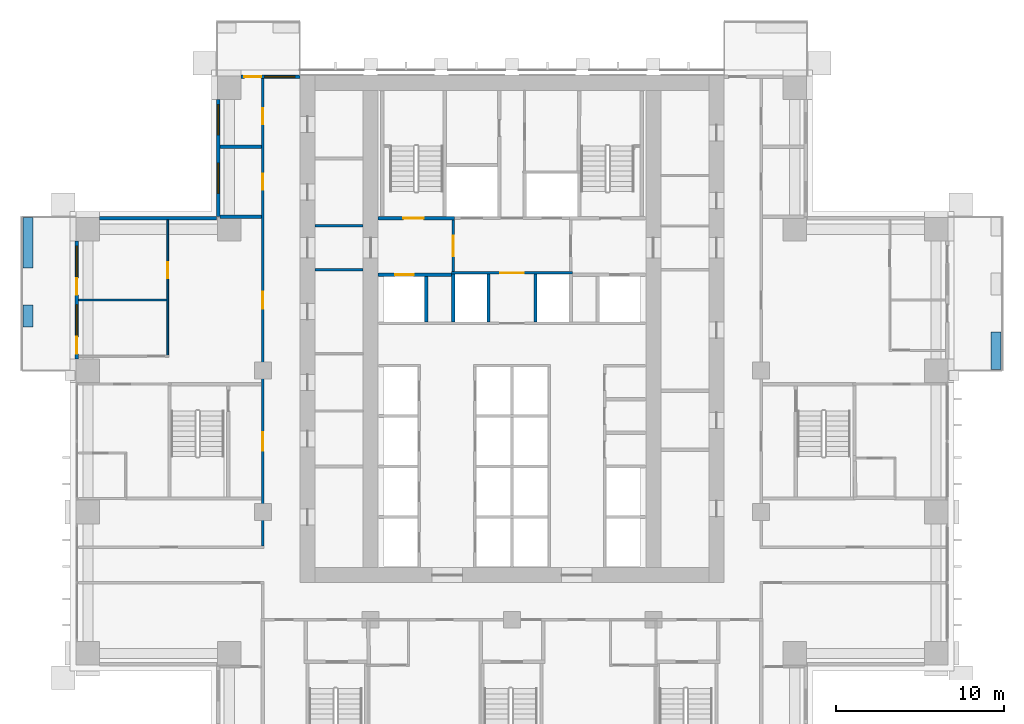
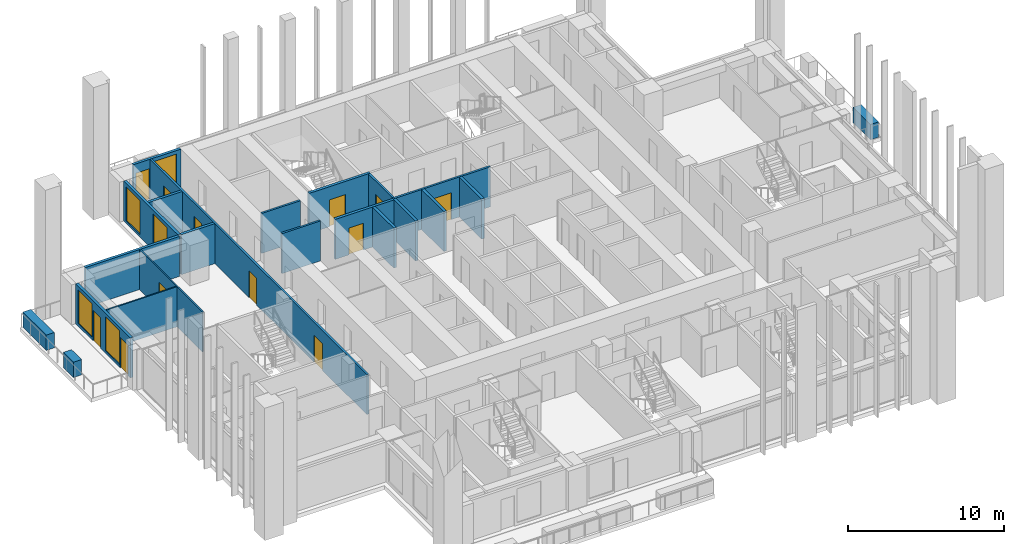
# One storey, part 10 of 17: 22 walls, 12 doors, 5 windows, 17 openings.
"""IFC4 building model written with IfcOpenShell, lengths in metres."""

from ifc_helpers import new_model, si_unit, direction, frame, frame_2d, origin, place, context, subcontext, project, spatial, rectangle, extrude, material, layer, layer_set, type_object, element, fill, save


model = new_model("IFC4")

# Units and contexts
model_context = context("Model", 3, precision=1e-05, world=origin(), true_north=direction((0.0, 1.0)))
body_context = subcontext(model_context, "Body", "Model", "MODEL_VIEW")
ifc_project = project(units=[si_unit("LENGTHUNIT", "METRE"), si_unit("AREAUNIT", "SQUARE_METRE"), si_unit("VOLUMEUNIT", "CUBIC_METRE"), si_unit("PLANEANGLEUNIT", "RADIAN"), si_unit("MASSUNIT", "GRAM", prefix="KILO")], contexts=[model_context])

# Site, building, storey
site_placement = place(None, origin())
site = spatial("IfcSite", under=ifc_project, at=site_placement, CompositionType="ELEMENT")
building_placement = place(site_placement, origin())
building = spatial("IfcBuilding", under=site, at=building_placement, Name="Vermilion Ogive Tower", CompositionType="ELEMENT")
storey_placement = place(building_placement, frame((0.0, 0.0, 37.949951171875)))
storey = spatial("IfcBuildingStorey", under=building, at=storey_placement, Name="L07", CompositionType="ELEMENT", Elevation=37.949951171875)

# Wall
ifc_material_1 = material(Name="Gypsum board partition on steel studs", Category="steel")
ifc_layer_1 = layer(ifc_material_1, 0.10009765625)
ifc_layer_set_1 = layer_set([ifc_layer_1], Name="Partition 100 inner")
wall_type_1 = type_object("IfcWallType", Name="Partition 100 inner", PredefinedType="PARTITIONING", material=ifc_layer_set_1)
wall_1_placement = place(storey_placement, frame((-25.75, 8.39990234375, 0.0), z_axis=(0.0, 0.0, 1.0), x_axis=(1.0, 0.0, 0.0)))
element("IfcWall", 1, at=wall_1_placement, inside=storey, type_object=wall_type_1, Name="L07-W-W035", PredefinedType="PARTITIONING", context=body_context, shape_type="SweptSolid", body=[
    extrude(rectangle(XDim=5.25, YDim=0.10009765625, at=frame_2d((2.625, 0.0))), origin(), (0.0, 0.0, 1.0), 3.130126953125),
])

# Wall, opening, door
wall_2_placement = place(storey_placement, frame((-20.449951171875, 5.099853515625, 0.0), z_axis=(0.0, 0.0, 1.0), x_axis=(0.0, 1.0, 0.0)))
wall_2 = element("IfcWall", 2, at=wall_2_placement, inside=storey, type_object=wall_type_1, Name="L07-W-W042", PredefinedType="PARTITIONING", context=body_context, shape_type="SweptSolid", body=[
    extrude(rectangle(XDim=8.050048828125, YDim=0.10009765625, at=frame_2d((4.02490234375, 0.0))), origin(), (0.0, 0.0, 1.0), 3.130126953125),
])
opening_1_placement = place(wall_2_placement, frame((4.60009765625, 0.0, 0.0)))
opening_1 = element("IfcOpeningElement", 3, at=opening_1_placement, cuts=wall_2, Name="Opening D1G2005", PredefinedType="OPENING", context=body_context, shape_type="SweptSolid", body=[
    extrude(rectangle(XDim=0.949951171875, YDim=2.10009765625, at=frame_2d((0.47509765625, 1.050048828125))), frame((0.0, 0.06005859375, 0.0), z_axis=(0.0, -1.0, 0.0), x_axis=(1.0, 0.0, 0.0)), (0.0, 0.0, 1.0), 0.1201171875),
])
ifc_material_2 = material(Name="Timber door leaf", Category="wood")
door_type_1 = type_object("IfcDoorType", Name="Inner door 950 x 2100 FD30", OperationType="SINGLE_SWING_LEFT", PredefinedType="DOOR", material=ifc_material_2)
door_1_placement = place(opening_1_placement, origin())
door_1 = element("IfcDoor", 4, at=door_1_placement, inside=storey, type_object=door_type_1, Name="L07-D-D005", OperationType="SINGLE_SWING_RIGHT", OverallHeight=2.10009765625, OverallWidth=0.949951171875, PredefinedType="DOOR", context=body_context, shape_type="SweptSolid", body=[
    extrude(rectangle(XDim=0.949951171875, YDim=2.10009765625, at=frame_2d((0.47509765625, 1.050048828125))), frame((0.0, 0.02490234375, 0.0), z_axis=(0.0, -1.0, 0.0), x_axis=(1.0, 0.0, 0.0)), (0.0, 0.0, 1.0), 0.050048828125),
])
fill(opening_1, door_1)

# Wall, openings, doors
ifc_material_3 = material(Name="Gypsum board partition on steel studs", Category="steel")
ifc_layer_2 = layer(ifc_material_3, 0.14990234375)
ifc_layer_set_2 = layer_set([ifc_layer_2], Name="Partition 150 corridor")
wall_type_2 = type_object("IfcWallType", Name="Partition 150 corridor", PredefinedType="PARTITIONING", material=ifc_layer_set_2)
wall_3_placement = place(storey_placement, frame((-14.800048828125, -6.22509765625, 0.0), z_axis=(0.0, 0.0, 1.0), x_axis=(0.0, 1.0, 0.0)))
wall_3 = element("IfcWall", 5, at=wall_3_placement, inside=storey, type_object=wall_type_2, Name="L07-W-W048", PredefinedType="PARTITIONING", context=body_context, shape_type="SweptSolid", body=[
    extrude(rectangle(XDim=27.775146484375, YDim=0.14990234375, at=frame_2d((13.8876953125, 0.0))), origin(), (0.0, 0.0, 1.0), 3.130126953125),
])
opening_2_placement = place(wall_3_placement, frame((14.10009765625, 0.0, 0.0)))
opening_2 = element("IfcOpeningElement", 6, at=opening_2_placement, cuts=wall_3, Name="Opening D1G2006", PredefinedType="OPENING", context=body_context, shape_type="SweptSolid", body=[
    extrude(rectangle(XDim=1.0, YDim=2.10009765625, at=frame_2d((0.5, 1.050048828125))), frame((0.0, 0.0849609375, 0.0), z_axis=(0.0, -1.0, 0.0), x_axis=(1.0, 0.0, 0.0)), (0.0, 0.0, 1.0), 0.169921875),
])
opening_3_placement = place(wall_3_placement, frame((21.175048828125, 0.0, 0.0)))
opening_3 = element("IfcOpeningElement", 7, at=opening_3_placement, cuts=wall_3, Name="Opening D1G2009", PredefinedType="OPENING", context=body_context, shape_type="SweptSolid", body=[
    extrude(rectangle(XDim=0.949951171875, YDim=2.10009765625, at=frame_2d((0.47509765625, 1.050048828125))), frame((0.0, 0.0849609375, 0.0), z_axis=(0.0, -1.0, 0.0), x_axis=(1.0, 0.0, 0.0)), (0.0, 0.0, 1.0), 0.169921875),
])
opening_4_placement = place(wall_3_placement, frame((25.0751953125, 0.0, 0.0)))
opening_4 = element("IfcOpeningElement", 8, at=opening_4_placement, cuts=wall_3, Name="Opening D1G2010", PredefinedType="OPENING", context=body_context, shape_type="SweptSolid", body=[
    extrude(rectangle(XDim=0.949951171875, YDim=2.10009765625, at=frame_2d((0.47509765625, 1.050048828125))), frame((0.0, 0.0849609375, 0.0), z_axis=(0.0, -1.0, 0.0), x_axis=(1.0, 0.0, 0.0)), (0.0, 0.0, 1.0), 0.169921875),
])
opening_5_placement = place(wall_3_placement, frame((5.675048828125, 0.0, 0.0)))
opening_5 = element("IfcOpeningElement", 9, at=opening_5_placement, cuts=wall_3, Name="Opening D1G2033", PredefinedType="OPENING", context=body_context, shape_type="SweptSolid", body=[
    extrude(rectangle(XDim=1.10009765625, YDim=2.10009765625, at=frame_2d((0.550048828125, 1.050048828125))), frame((0.0, 0.0849609375, 0.0), z_axis=(0.0, -1.0, 0.0), x_axis=(1.0, 0.0, 0.0)), (0.0, 0.0, 1.0), 0.169921875),
])
ifc_material_4 = material(Name="Timber door leaf", Category="wood")
door_type_2 = type_object("IfcDoorType", Name="Stair door 1100 x 2100 FD60S", OperationType="SINGLE_SWING_LEFT", PredefinedType="DOOR", material=ifc_material_4)
door_2_placement = place(opening_5_placement, origin())
door_2 = element("IfcDoor", 10, at=door_2_placement, inside=storey, type_object=door_type_2, Name="L07-D-D033", OperationType="SINGLE_SWING_RIGHT", OverallHeight=2.10009765625, OverallWidth=1.10009765625, PredefinedType="DOOR", context=body_context, shape_type="SweptSolid", body=[
    extrude(rectangle(XDim=1.10009765625, YDim=2.10009765625, at=frame_2d((0.550048828125, 1.050048828125))), frame((0.0, 0.02490234375, 0.0), z_axis=(0.0, -1.0, 0.0), x_axis=(1.0, 0.0, 0.0)), (0.0, 0.0, 1.0), 0.050048828125),
])
fill(opening_5, door_2)
ifc_material_5 = material(Name="Timber door leaf", Category="wood")
door_type_3 = type_object("IfcDoorType", Name="Unit door 1000 x 2100 FD30S", OperationType="SINGLE_SWING_LEFT", PredefinedType="DOOR", material=ifc_material_5)
door_3_placement = place(opening_2_placement, origin())
door_3 = element("IfcDoor", 11, at=door_3_placement, inside=storey, type_object=door_type_3, Name="L07-D-D006", OperationType="SINGLE_SWING_LEFT", OverallHeight=2.10009765625, OverallWidth=1.0, PredefinedType="DOOR", context=body_context, shape_type="SweptSolid", body=[
    extrude(rectangle(XDim=1.0, YDim=2.10009765625, at=frame_2d((0.5, 1.050048828125))), frame((0.0, 0.02490234375, 0.0), z_axis=(0.0, -1.0, 0.0), x_axis=(1.0, 0.0, 0.0)), (0.0, 0.0, 1.0), 0.050048828125),
])
fill(opening_2, door_3)
ifc_material_6 = material(Name="Timber door leaf", Category="wood")
door_type_4 = type_object("IfcDoorType", Name="Unit door 950 x 2100 FD30S", OperationType="SINGLE_SWING_LEFT", PredefinedType="DOOR", material=ifc_material_6)
door_4_placement = place(opening_3_placement, origin())
door_4 = element("IfcDoor", 12, at=door_4_placement, inside=storey, type_object=door_type_4, Name="L07-D-D009", OperationType="SINGLE_SWING_RIGHT", OverallHeight=2.10009765625, OverallWidth=0.949951171875, PredefinedType="DOOR", context=body_context, shape_type="SweptSolid", body=[
    extrude(rectangle(XDim=0.949951171875, YDim=2.10009765625, at=frame_2d((0.47509765625, 1.050048828125))), frame((0.0, 0.02490234375, 0.0), z_axis=(0.0, -1.0, 0.0), x_axis=(1.0, 0.0, 0.0)), (0.0, 0.0, 1.0), 0.050048828125),
])
fill(opening_3, door_4)
door_5_placement = place(opening_4_placement, origin())
door_5 = element("IfcDoor", 13, at=door_5_placement, inside=storey, type_object=door_type_4, Name="L07-D-D010", OperationType="SINGLE_SWING_LEFT", OverallHeight=2.10009765625, OverallWidth=0.949951171875, PredefinedType="DOOR", context=body_context, shape_type="SweptSolid", body=[
    extrude(rectangle(XDim=0.949951171875, YDim=2.10009765625, at=frame_2d((0.47509765625, 1.050048828125))), frame((0.0, 0.02490234375, 0.0), z_axis=(0.0, -1.0, 0.0), x_axis=(1.0, 0.0, 0.0)), (0.0, 0.0, 1.0), 0.050048828125),
])
fill(opening_4, door_5)

# Wall, opening, door
wall_4_placement = place(storey_placement, frame((-3.60009765625, 10.0, 0.0), z_axis=(0.0, 0.0, 1.0), x_axis=(1.0, 0.0, 0.0)))
wall_4 = element("IfcWall", 14, at=wall_4_placement, inside=storey, type_object=wall_type_2, Name="L07-CK-W-W017", PredefinedType="PARTITIONING", context=body_context, shape_type="SweptSolid", body=[
    extrude(rectangle(XDim=7.2001953125, YDim=0.14990234375, at=frame_2d((3.60009765625, 0.0))), origin(), (0.0, 0.0, 1.0), 3.130126953125),
])
opening_6_placement = place(wall_4_placement, frame((2.900146484375, 0.0, 0.0)))
opening_6 = element("IfcOpeningElement", 15, at=opening_6_placement, cuts=wall_4, Name="Opening DAA025", PredefinedType="OPENING", context=body_context, shape_type="SweptSolid", body=[
    extrude(rectangle(XDim=1.39990234375, YDim=2.10009765625, at=frame_2d((0.699951171875, 1.050048828125))), frame((0.0, 0.0849609375, 0.0), z_axis=(0.0, -1.0, 0.0), x_axis=(1.0, 0.0, 0.0)), (0.0, 0.0, 1.0), 0.169921875),
])
ifc_material_7 = material(Name="Timber door leaf", Category="wood")
door_type_5 = type_object("IfcDoorType", Name="Lobby door 1400 x 2100 FD60S", OperationType="SINGLE_SWING_LEFT", PredefinedType="DOOR", material=ifc_material_7)
door_6_placement = place(opening_6_placement, origin())
door_6 = element("IfcDoor", 16, at=door_6_placement, inside=storey, type_object=door_type_5, Name="L07-CK-D-D017", OperationType="SINGLE_SWING_RIGHT", OverallHeight=2.10009765625, OverallWidth=1.39990234375, PredefinedType="DOOR", context=body_context, shape_type="SweptSolid", body=[
    extrude(rectangle(XDim=1.39990234375, YDim=2.10009765625, at=frame_2d((0.699951171875, 1.050048828125))), frame((0.0, 0.02490234375, 0.0), z_axis=(0.0, -1.0, 0.0), x_axis=(1.0, 0.0, 0.0)), (0.0, 0.0, 1.0), 0.050048828125),
])
fill(opening_6, door_6)

wall_5_placement = place(storey_placement, frame((-3.5, 10.074951171875, 0.0), z_axis=(0.0, 0.0, 1.0), x_axis=(0.0, 1.0, 0.0)))
wall_5 = element("IfcWall", 17, at=wall_5_placement, inside=storey, type_object=wall_type_2, Name="L07-CK-W-W027", PredefinedType="PARTITIONING", context=body_context, shape_type="SweptSolid", body=[
    extrude(rectangle(XDim=3.074951171875, YDim=0.14990234375, at=frame_2d((1.53759765625, 0.0))), origin(), (0.0, 0.0, 1.0), 3.130126953125),
])
opening_7_placement = place(wall_5_placement, frame((0.925048828125, 0.0, 0.0)))
opening_7 = element("IfcOpeningElement", 18, at=opening_7_placement, cuts=wall_5, Name="Opening DAA022", PredefinedType="OPENING", context=body_context, shape_type="SweptSolid", body=[
    extrude(rectangle(XDim=1.199951171875, YDim=2.10009765625, at=frame_2d((0.60009765625, 1.050048828125))), frame((0.0, 0.0849609375, 0.0), z_axis=(0.0, -1.0, 0.0), x_axis=(1.0, 0.0, 0.0)), (0.0, 0.0, 1.0), 0.169921875),
])
ifc_material_8 = material(Name="Timber door leaf", Category="wood")
door_type_6 = type_object("IfcDoorType", Name="Lobby door 1200 x 2100 FD60S", OperationType="SINGLE_SWING_LEFT", PredefinedType="DOOR", material=ifc_material_8)
door_7_placement = place(opening_7_placement, origin())
door_7 = element("IfcDoor", 19, at=door_7_placement, inside=storey, type_object=door_type_6, Name="L07-CK-D-D023", OperationType="SINGLE_SWING_RIGHT", OverallHeight=2.10009765625, OverallWidth=1.199951171875, PredefinedType="DOOR", context=body_context, shape_type="SweptSolid", body=[
    extrude(rectangle(XDim=1.199951171875, YDim=2.10009765625, at=frame_2d((0.60009765625, 1.050048828125))), frame((0.0, 0.02490234375, 0.0), z_axis=(0.0, -1.0, 0.0), x_axis=(1.0, 0.0, 0.0)), (0.0, 0.0, 1.0), 0.050048828125),
])
fill(opening_7, door_7)

# Walls
for number, where, z_axis, x_axis, name in (
    (20, (-11.698974609375, 10.199951171875, 0.0), (0.0, 0.0, 1.0), (1.0, 0.0, 0.0), "L07-CKW-W-W004"),
    (21, (-11.698974609375, 12.800048828125, 0.0), (0.0, 0.0, 1.0), (1.0, 0.0, 0.0), "L07-CKW-W-W005"),
):
    element("IfcWall", number, at=place(storey_placement, frame(where, z_axis=z_axis, x_axis=x_axis)), inside=storey, type_object=wall_type_2, Name=name, PredefinedType="PARTITIONING", context=body_context, shape_type="SweptSolid", body=[
        extrude(rectangle(XDim=2.847900390625, YDim=0.14990234375, at=frame_2d((1.423828125, 0.0))), origin(), (0.0, 0.0, 1.0), 3.130126953125),
    ])
ifc_material_9 = material(Name="Gypsum board partition on steel studs", Category="steel")
ifc_layer_3 = layer(ifc_material_9, 0.199951171875)
ifc_layer_set_3 = layer_set([ifc_layer_3], Name="Partition 200 party")
wall_type_3 = type_object("IfcWallType", Name="Partition 200 party", PredefinedType="PARTITIONING", material=ifc_layer_set_3)
for number, where, z_axis, x_axis, name in (
    (22, (-17.35009765625, 13.35009765625, 0.0), (0.0, 0.0, 1.0), (1.0, 0.0, 0.0), "L07-W-W037"),
    (23, (-17.35009765625, 17.5, 0.0), (0.0, 0.0, 1.0), (1.0, 0.0, 0.0), "L07-W-W039"),
):
    element("IfcWall", number, at=place(storey_placement, frame(where, z_axis=z_axis, x_axis=x_axis)), inside=storey, type_object=wall_type_3, Name=name, PredefinedType="PARTITIONING", context=body_context, shape_type="SweptSolid", body=[
        extrude(rectangle(XDim=2.47509765625, YDim=0.199951171875, at=frame_2d((1.237548828125, 0.0))), origin(), (0.0, 0.0, 1.0), 3.130126953125),
    ])

# Wall, opening, door
wall_6_placement = place(storey_placement, frame((-7.948974609375, 9.89990234375, 0.0), z_axis=(0.0, 0.0, 1.0), x_axis=(1.0, 0.0, 0.0)))
wall_6 = element("IfcWall", 24, at=wall_6_placement, inside=storey, type_object=wall_type_3, Name="L07-CK-W-W015", PredefinedType="PARTITIONING", context=body_context, shape_type="SweptSolid", body=[
    extrude(rectangle(XDim=4.348876953125, YDim=0.199951171875, at=frame_2d((2.17431640625, 0.0))), origin(), (0.0, 0.0, 1.0), 3.130126953125),
])
opening_8_placement = place(wall_6_placement, frame((0.9990234375, 0.0, 0.0)))
opening_8 = element("IfcOpeningElement", 25, at=opening_8_placement, cuts=wall_6, Name="Opening DAA044", PredefinedType="OPENING", context=body_context, shape_type="SweptSolid", body=[
    extrude(rectangle(XDim=1.10009765625, YDim=2.10009765625, at=frame_2d((0.550048828125, 1.050048828125))), frame((0.0, 0.10986328125, 0.0), z_axis=(0.0, -1.0, 0.0), x_axis=(1.0, 0.0, 0.0)), (0.0, 0.0, 1.0), 0.219970703125),
])
ifc_material_10 = material(Name="Stainless steel", Category="steel")
door_type_7 = type_object("IfcDoorType", Name="Lift landing door 1100 x 2100", OperationType="SLIDING_TO_LEFT", PredefinedType="DOOR", material=ifc_material_10)
door_8_placement = place(opening_8_placement, origin())
door_8 = element("IfcDoor", 26, at=door_8_placement, inside=storey, type_object=door_type_7, Name="L07-CK-D-D013", OperationType="SLIDING_TO_RIGHT", OverallHeight=2.10009765625, OverallWidth=1.10009765625, PredefinedType="DOOR", context=body_context, shape_type="SweptSolid", body=[
    extrude(rectangle(XDim=1.10009765625, YDim=2.10009765625, at=frame_2d((0.550048828125, 1.050048828125))), frame((0.0, 0.02490234375, 0.0), z_axis=(0.0, -1.0, 0.0), x_axis=(1.0, 0.0, 0.0)), (0.0, 0.0, 1.0), 0.050048828125),
])
fill(opening_8, door_8)

# Walls
wall_7_placement = place(storey_placement, frame((-5.10009765625, 7.074951171875, 0.0), z_axis=(0.0, 0.0, 1.0), x_axis=(0.0, 1.0, 0.0)))
element("IfcWall", 27, at=wall_7_placement, inside=storey, type_object=wall_type_3, Name="L07-CK-W-W024", PredefinedType="PARTITIONING", context=body_context, shape_type="SweptSolid", body=[
    extrude(rectangle(XDim=2.72509765625, YDim=0.199951171875, at=frame_2d((1.362548828125, 0.0))), origin(), (0.0, 0.0, 1.0), 3.130126953125),
])
for number, where, z_axis, x_axis, name in (
    (28, (-3.5, 7.074951171875, 0.0), (0.0, 0.0, 1.0), (0.0, 1.0, 0.0), "L07-CK-W-W026"),
    (29, (-1.39990234375, 7.074951171875, 0.0), (0.0, 0.0, 1.0), (0.0, 1.0, 0.0), "L07-CK-W-W029"),
    (30, (1.39990234375, 7.074951171875, 0.0), (0.0, 0.0, 1.0), (0.0, 1.0, 0.0), "L07-CK-W-W034"),
):
    element("IfcWall", number, at=place(storey_placement, frame(where, z_axis=z_axis, x_axis=x_axis)), inside=storey, type_object=wall_type_3, Name=name, PredefinedType="PARTITIONING", context=body_context, shape_type="SweptSolid", body=[
        extrude(rectangle(XDim=2.85009765625, YDim=0.199951171875, at=frame_2d((1.425048828125, 0.0))), origin(), (0.0, 0.0, 1.0), 3.130126953125),
    ])

# Wall, opening, door
ifc_material_11 = material(Name="Concrete B60", Category="concrete")
ifc_layer_4 = layer(ifc_material_11, 0.199951171875)
ifc_layer_set_4 = layer_set([ifc_layer_4], Name="Stair shaft wall 200 Concrete B60")
wall_type_4 = type_object("IfcWallType", Name="Stair shaft wall 200 Concrete B60", PredefinedType="SOLIDWALL", material=ifc_layer_set_4)
wall_8_placement = place(storey_placement, frame((-7.948974609375, 13.25, 0.0), z_axis=(0.0, 0.0, 1.0), x_axis=(1.0, 0.0, 0.0)))
wall_8 = element("IfcWall", 31, at=wall_8_placement, inside=storey, type_object=wall_type_4, Name="L07-CK-W-W018", PredefinedType="SOLIDWALL", context=body_context, shape_type="SweptSolid", body=[
    extrude(rectangle(XDim=4.52392578125, YDim=0.199951171875, at=frame_2d((2.261962890625, 0.0))), origin(), (0.0, 0.0, 1.0), 3.130126953125),
])
opening_9_placement = place(wall_8_placement, frame((1.4990234375, 0.0, 0.0)))
opening_9 = element("IfcOpeningElement", 32, at=opening_9_placement, cuts=wall_8, Name="Opening DAA032", PredefinedType="OPENING", context=body_context, shape_type="SweptSolid", body=[
    extrude(rectangle(XDim=1.199951171875, YDim=2.10009765625, at=frame_2d((0.60009765625, 1.050048828125))), frame((0.0, 0.10986328125, 0.0), z_axis=(0.0, -1.0, 0.0), x_axis=(1.0, 0.0, 0.0)), (0.0, 0.0, 1.0), 0.219970703125),
])
ifc_material_12 = material(Name="Timber door leaf", Category="wood")
door_type_8 = type_object("IfcDoorType", Name="Stair door 1200 x 2100 FD60S", OperationType="SINGLE_SWING_LEFT", PredefinedType="DOOR", material=ifc_material_12)
door_9_placement = place(opening_9_placement, origin())
door_9 = element("IfcDoor", 33, at=door_9_placement, inside=storey, type_object=door_type_8, Name="L07-CK-D-D012", OperationType="SINGLE_SWING_LEFT", OverallHeight=2.10009765625, OverallWidth=1.199951171875, PredefinedType="DOOR", context=body_context, shape_type="SweptSolid", body=[
    extrude(rectangle(XDim=1.199951171875, YDim=2.10009765625, at=frame_2d((0.60009765625, 1.050048828125))), frame((0.0, 0.02490234375, 0.0), z_axis=(0.0, -1.0, 0.0), x_axis=(1.0, 0.0, 0.0)), (0.0, 0.0, 1.0), 0.050048828125),
])
fill(opening_9, door_9)

# Walls
ifc_material_13 = material(Name="Concrete B40", Category="concrete")
ifc_layer_5 = layer(ifc_material_13, 0.60009765625)
ifc_layer_set_5 = layer_set([ifc_layer_5], Name="Structural planter")
wall_type_5 = type_object("IfcWallType", Name="Structural planter", PredefinedType="USERDEFINED", material=ifc_layer_set_5)
wall_9_placement = place(storey_placement, frame((28.75, 4.260009765625, -0.0400390625), z_axis=(0.0, 0.0, 1.0), x_axis=(0.0, 1.0, 0.0)))
element("IfcWall", 34, at=wall_9_placement, inside=storey, type_object=wall_type_5, Name="Planter E03A1", ObjectType="PLANTER", PredefinedType="USERDEFINED", context=body_context, shape_type="SweptSolid", body=[
    extrude(rectangle(XDim=2.239990234375, YDim=0.60009765625, at=frame_2d((1.1201171875, 0.0))), origin(), (0.0, 0.0, 1.0), 1.2001953125),
])
wall_10_placement = place(storey_placement, frame((-28.75, 13.2900390625, -0.0400390625), z_axis=(0.0, 0.0, 1.0), x_axis=(0.0, -1.0, 0.0)))
element("IfcWall", 35, at=wall_10_placement, inside=storey, type_object=wall_type_5, Name="Planter W01A1", ObjectType="PLANTER", PredefinedType="USERDEFINED", context=body_context, shape_type="SweptSolid", body=[
    extrude(rectangle(XDim=2.989990234375, YDim=0.60009765625, at=frame_2d((1.4951171875, 0.0))), origin(), (0.0, 0.0, 1.0), 1.2001953125),
])
wall_11_placement = place(storey_placement, frame((-28.75, 8.10009765625, -0.0400390625), z_axis=(0.0, 0.0, 1.0), x_axis=(0.0, -1.0, 0.0)))
element("IfcWall", 36, at=wall_11_placement, inside=storey, type_object=wall_type_5, Name="Planter W01A2", ObjectType="PLANTER", PredefinedType="USERDEFINED", context=body_context, shape_type="SweptSolid", body=[
    extrude(rectangle(XDim=1.300048828125, YDim=0.60009765625, at=frame_2d((0.64990234375, 0.0))), origin(), (0.0, 0.0, 1.0), 1.2001953125),
])

# Wall, openings, door, window
ifc_material_14 = material(Name="Aluminium window wall framing", Category="aluminium")
ifc_layer_6 = layer(ifc_material_14, 0.199951171875)
ifc_layer_set_6 = layer_set([ifc_layer_6], Name="Window wall")
wall_type_6 = type_object("IfcWallType", Name="Window wall", PredefinedType="STANDARD", material=ifc_layer_set_6)
wall_12_placement = place(storey_placement, frame((-12.60009765625, 21.64990234375, 0.0), z_axis=(0.0, 0.0, 1.0), x_axis=(-1.0, 0.0, 0.0)))
wall_12 = element("IfcWall", 37, at=wall_12_placement, inside=storey, type_object=wall_type_6, Name="Window wall N21", PredefinedType="STANDARD", context=body_context, shape_type="SweptSolid", body=[
    extrude(rectangle(XDim=3.5, YDim=0.199951171875, at=frame_2d((1.75, 0.0))), origin(), (0.0, 0.0, 1.0), 3.130126953125),
])
opening_10_placement = place(wall_12_placement, frame((0.300048828125, 0.0, 0.199951171875)))
opening_10 = element("IfcOpeningElement", 38, at=opening_10_placement, cuts=wall_12, Name="Opening W1-N296", PredefinedType="OPENING", context=body_context, shape_type="SweptSolid", body=[
    extrude(rectangle(XDim=1.800048828125, YDim=2.64990234375, at=frame_2d((0.89990234375, 1.324951171875))), frame((0.0, 0.10986328125, 0.0), z_axis=(0.0, -1.0, 0.0), x_axis=(1.0, 0.0, 0.0)), (0.0, 0.0, 1.0), 0.219970703125),
])
opening_11_placement = place(wall_12_placement, frame((2.300048828125, 0.0, 0.0)))
opening_11 = element("IfcOpeningElement", 39, at=opening_11_placement, cuts=wall_12, Name="Opening D1-N296", PredefinedType="OPENING", context=body_context, shape_type="SweptSolid", body=[
    extrude(rectangle(XDim=1.0, YDim=2.39990234375, at=frame_2d((0.5, 1.199951171875))), frame((0.0, 0.10986328125, 0.0), z_axis=(0.0, -1.0, 0.0), x_axis=(1.0, 0.0, 0.0)), (0.0, 0.0, 1.0), 0.219970703125),
])
ifc_material_15 = material(Name="Aluminium framed glazed door", Category="aluminium")
door_type_9 = type_object("IfcDoorType", Name="Balcony door D1", OperationType="SINGLE_SWING_LEFT", PredefinedType="DOOR", material=ifc_material_15)
door_10_placement = place(opening_11_placement, origin())
door_10 = element("IfcDoor", 40, at=door_10_placement, inside=storey, type_object=door_type_9, Name="Balcony door N296", OperationType="SINGLE_SWING_LEFT", OverallHeight=2.39990234375, OverallWidth=1.0, PredefinedType="DOOR", context=body_context, shape_type="SweptSolid", body=[
    extrude(rectangle(XDim=1.0, YDim=2.39990234375, at=frame_2d((0.5, 1.199951171875))), frame((0.0, 0.02490234375, 0.0), z_axis=(0.0, -1.0, 0.0), x_axis=(1.0, 0.0, 0.0)), (0.0, 0.0, 1.0), 0.050048828125),
])
fill(opening_11, door_10)
ifc_material_16 = material(Name="Aluminium framed double glazing", Category="aluminium")
window_type = type_object("IfcWindowType", Name="Guest window W1", PartitioningType="SINGLE_PANEL", PredefinedType="WINDOW", material=ifc_material_16)
window_1_placement = place(opening_10_placement, origin())
window_1 = element("IfcWindow", 41, at=window_1_placement, inside=storey, type_object=window_type, Name="Window N296", OverallHeight=2.64990234375, OverallWidth=1.800048828125, PartitioningType="SINGLE_PANEL", PredefinedType="WINDOW", context=body_context, shape_type="SweptSolid", body=[
    extrude(rectangle(XDim=1.800048828125, YDim=2.64990234375, at=frame_2d((0.89990234375, 1.324951171875))), frame((0.0, 0.030029296875, 0.0), z_axis=(0.0, -1.0, 0.0), x_axis=(1.0, 0.0, 0.0)), (0.0, 0.0, 1.0), 0.06005859375),
])
fill(opening_10, window_1)

# Wall, openings, windows
wall_13_placement = place(storey_placement, frame((-17.449951171875, 20.300048828125, 0.0), z_axis=(0.0, 0.0, 1.0), x_axis=(0.0, -1.0, 0.0)))
wall_13 = element("IfcWall", 42, at=wall_13_placement, inside=storey, type_object=wall_type_6, Name="Window wall X51", PredefinedType="STANDARD", context=body_context, shape_type="SweptSolid", body=[
    extrude(rectangle(XDim=6.949951171875, YDim=0.199951171875, at=frame_2d((3.47509765625, 0.0))), origin(), (0.0, 0.0, 1.0), 3.130126953125),
])
opening_12_placement = place(wall_13_placement, frame((3.77490234375, 0.0, 0.199951171875)))
opening_12 = element("IfcOpeningElement", 43, at=opening_12_placement, cuts=wall_13, Name="Opening W1-X503", PredefinedType="OPENING", context=body_context, shape_type="SweptSolid", body=[
    extrude(rectangle(XDim=1.800048828125, YDim=2.64990234375, at=frame_2d((0.89990234375, 1.324951171875))), frame((0.0, 0.10986328125, 0.0), z_axis=(0.0, -1.0, 0.0), x_axis=(1.0, 0.0, 0.0)), (0.0, 0.0, 1.0), 0.219970703125),
])
opening_13_placement = place(wall_13_placement, frame((0.300048828125, 0.0, 0.199951171875)))
opening_13 = element("IfcOpeningElement", 44, at=opening_13_placement, cuts=wall_13, Name="Opening W1-X504", PredefinedType="OPENING", context=body_context, shape_type="SweptSolid", body=[
    extrude(rectangle(XDim=1.800048828125, YDim=2.64990234375, at=frame_2d((0.89990234375, 1.324951171875))), frame((0.0, 0.10986328125, 0.0), z_axis=(0.0, -1.0, 0.0), x_axis=(1.0, 0.0, 0.0)), (0.0, 0.0, 1.0), 0.219970703125),
])
window_2_placement = place(opening_12_placement, origin())
window_2 = element("IfcWindow", 45, at=window_2_placement, inside=storey, type_object=window_type, Name="Window X503", OverallHeight=2.64990234375, OverallWidth=1.800048828125, PartitioningType="SINGLE_PANEL", PredefinedType="WINDOW", context=body_context, shape_type="SweptSolid", body=[
    extrude(rectangle(XDim=1.800048828125, YDim=2.64990234375, at=frame_2d((0.89990234375, 1.324951171875))), frame((0.0, 0.030029296875, 0.0), z_axis=(0.0, -1.0, 0.0), x_axis=(1.0, 0.0, 0.0)), (0.0, 0.0, 1.0), 0.06005859375),
])
fill(opening_12, window_2)
window_3_placement = place(opening_13_placement, origin())
window_3 = element("IfcWindow", 46, at=window_3_placement, inside=storey, type_object=window_type, Name="Window X504", OverallHeight=2.64990234375, OverallWidth=1.800048828125, PartitioningType="SINGLE_PANEL", PredefinedType="WINDOW", context=body_context, shape_type="SweptSolid", body=[
    extrude(rectangle(XDim=1.800048828125, YDim=2.64990234375, at=frame_2d((0.89990234375, 1.324951171875))), frame((0.0, 0.030029296875, 0.0), z_axis=(0.0, -1.0, 0.0), x_axis=(1.0, 0.0, 0.0)), (0.0, 0.0, 1.0), 0.06005859375),
])
fill(opening_13, window_3)

# Wall
wall_14_placement = place(storey_placement, frame((-17.550048828125, 13.25, 0.0), z_axis=(0.0, 0.0, 1.0), x_axis=(-1.0, 0.0, 0.0)))
element("IfcWall", 47, at=wall_14_placement, inside=storey, type_object=wall_type_6, Name="Window wall X61", PredefinedType="STANDARD", context=body_context, shape_type="SweptSolid", body=[
    extrude(rectangle(XDim=6.949951171875, YDim=0.199951171875, at=frame_2d((3.47509765625, 0.0))), origin(), (0.0, 0.0, 1.0), 3.130126953125),
])

# Wall, openings, doors, windows
wall_15_placement = place(storey_placement, frame((-25.85009765625, 11.89990234375, 0.0), z_axis=(0.0, 0.0, 1.0), x_axis=(0.0, -1.0, 0.0)))
wall_15 = element("IfcWall", 48, at=wall_15_placement, inside=storey, type_object=wall_type_6, Name="Window wall W1", PredefinedType="STANDARD", context=body_context, shape_type="SweptSolid", body=[
    extrude(rectangle(XDim=7.0, YDim=0.199951171875, at=frame_2d((3.5, 0.0))), origin(), (0.0, 0.0, 1.0), 3.130126953125),
])
opening_14_placement = place(wall_15_placement, frame((3.800048828125, 0.0, 0.199951171875)))
opening_14 = element("IfcOpeningElement", 49, at=opening_14_placement, cuts=wall_15, Name="Opening W1-W01", PredefinedType="OPENING", context=body_context, shape_type="SweptSolid", body=[
    extrude(rectangle(XDim=1.800048828125, YDim=2.64990234375, at=frame_2d((0.89990234375, 1.324951171875))), frame((0.0, 0.10986328125, 0.0), z_axis=(0.0, -1.0, 0.0), x_axis=(1.0, 0.0, 0.0)), (0.0, 0.0, 1.0), 0.219970703125),
])
opening_15_placement = place(wall_15_placement, frame((5.699951171875, 0.0, 0.0)))
opening_15 = element("IfcOpeningElement", 50, at=opening_15_placement, cuts=wall_15, Name="Opening D1-W01", PredefinedType="OPENING", context=body_context, shape_type="SweptSolid", body=[
    extrude(rectangle(XDim=1.0, YDim=2.39990234375, at=frame_2d((0.5, 1.199951171875))), frame((0.0, 0.10986328125, 0.0), z_axis=(0.0, -1.0, 0.0), x_axis=(1.0, 0.0, 0.0)), (0.0, 0.0, 1.0), 0.219970703125),
])
opening_16_placement = place(wall_15_placement, frame((0.300048828125, 0.0, 0.199951171875)))
opening_16 = element("IfcOpeningElement", 51, at=opening_16_placement, cuts=wall_15, Name="Opening W1-W02", PredefinedType="OPENING", context=body_context, shape_type="SweptSolid", body=[
    extrude(rectangle(XDim=1.800048828125, YDim=2.64990234375, at=frame_2d((0.89990234375, 1.324951171875))), frame((0.0, 0.10986328125, 0.0), z_axis=(0.0, -1.0, 0.0), x_axis=(1.0, 0.0, 0.0)), (0.0, 0.0, 1.0), 0.219970703125),
])
opening_17_placement = place(wall_15_placement, frame((2.199951171875, 0.0, 0.0)))
opening_17 = element("IfcOpeningElement", 52, at=opening_17_placement, cuts=wall_15, Name="Opening D1-W02", PredefinedType="OPENING", context=body_context, shape_type="SweptSolid", body=[
    extrude(rectangle(XDim=1.0, YDim=2.39990234375, at=frame_2d((0.5, 1.199951171875))), frame((0.0, 0.10986328125, 0.0), z_axis=(0.0, -1.0, 0.0), x_axis=(1.0, 0.0, 0.0)), (0.0, 0.0, 1.0), 0.219970703125),
])
door_11_placement = place(opening_15_placement, origin())
door_11 = element("IfcDoor", 53, at=door_11_placement, inside=storey, type_object=door_type_9, Name="Balcony door W01", OperationType="SINGLE_SWING_LEFT", OverallHeight=2.39990234375, OverallWidth=1.0, PredefinedType="DOOR", context=body_context, shape_type="SweptSolid", body=[
    extrude(rectangle(XDim=1.0, YDim=2.39990234375, at=frame_2d((0.5, 1.199951171875))), frame((0.0, 0.02490234375, 0.0), z_axis=(0.0, -1.0, 0.0), x_axis=(1.0, 0.0, 0.0)), (0.0, 0.0, 1.0), 0.050048828125),
])
fill(opening_15, door_11)
door_12_placement = place(opening_17_placement, origin())
door_12 = element("IfcDoor", 54, at=door_12_placement, inside=storey, type_object=door_type_9, Name="Balcony door W02", OperationType="SINGLE_SWING_LEFT", OverallHeight=2.39990234375, OverallWidth=1.0, PredefinedType="DOOR", context=body_context, shape_type="SweptSolid", body=[
    extrude(rectangle(XDim=1.0, YDim=2.39990234375, at=frame_2d((0.5, 1.199951171875))), frame((0.0, 0.02490234375, 0.0), z_axis=(0.0, -1.0, 0.0), x_axis=(1.0, 0.0, 0.0)), (0.0, 0.0, 1.0), 0.050048828125),
])
fill(opening_17, door_12)
window_4_placement = place(opening_14_placement, origin())
window_4 = element("IfcWindow", 55, at=window_4_placement, inside=storey, type_object=window_type, Name="Window W01", OverallHeight=2.64990234375, OverallWidth=1.800048828125, PartitioningType="SINGLE_PANEL", PredefinedType="WINDOW", context=body_context, shape_type="SweptSolid", body=[
    extrude(rectangle(XDim=1.800048828125, YDim=2.64990234375, at=frame_2d((0.89990234375, 1.324951171875))), frame((0.0, 0.030029296875, 0.0), z_axis=(0.0, -1.0, 0.0), x_axis=(1.0, 0.0, 0.0)), (0.0, 0.0, 1.0), 0.06005859375),
])
fill(opening_14, window_4)
window_5_placement = place(opening_16_placement, origin())
window_5 = element("IfcWindow", 56, at=window_5_placement, inside=storey, type_object=window_type, Name="Window W02", OverallHeight=2.64990234375, OverallWidth=1.800048828125, PartitioningType="SINGLE_PANEL", PredefinedType="WINDOW", context=body_context, shape_type="SweptSolid", body=[
    extrude(rectangle(XDim=1.800048828125, YDim=2.64990234375, at=frame_2d((0.89990234375, 1.324951171875))), frame((0.0, 0.030029296875, 0.0), z_axis=(0.0, -1.0, 0.0), x_axis=(1.0, 0.0, 0.0)), (0.0, 0.0, 1.0), 0.06005859375),
])
fill(opening_16, window_5)

save(model, "model.ifc")
